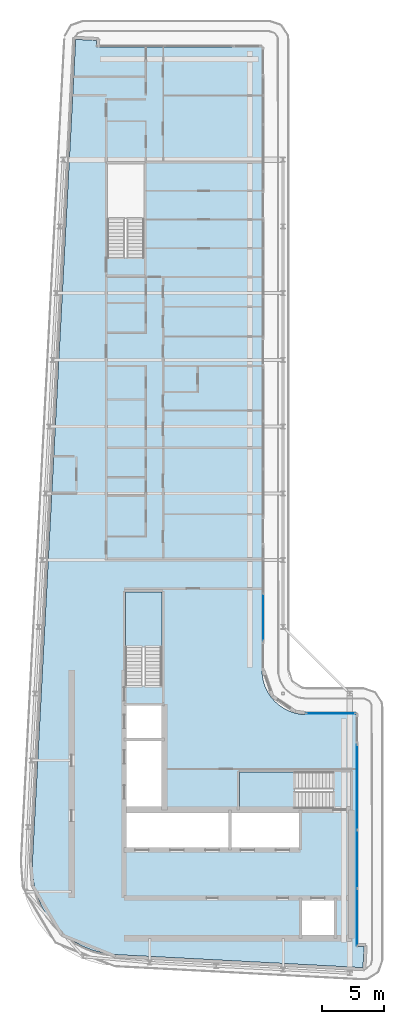
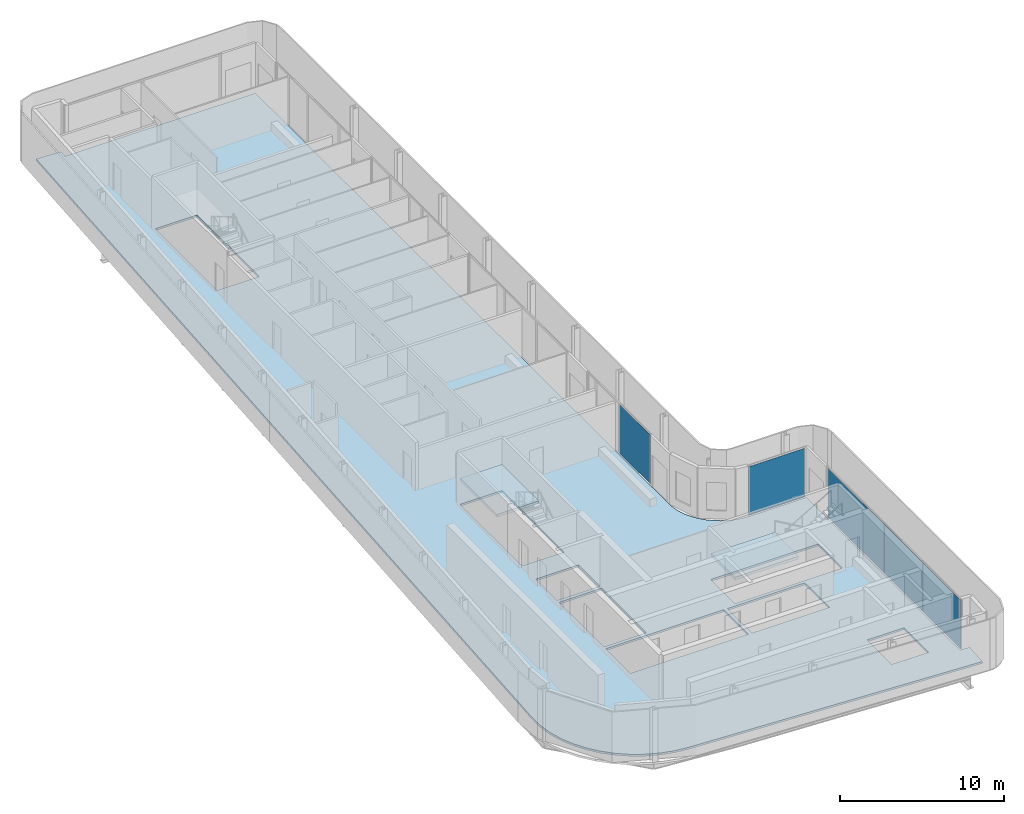
# One storey, part 7 of 18: 5 plates, 3 slabs, 6 elements without a shape of their own.
"""IFC4 building model written with IfcOpenShell, lengths in metres."""

from ifc_helpers import new_model, si_unit, direction, frame, origin, origin_2d, place, context, subcontext, project, spatial, polyline, rectangle, outline, extrude, material, layer, layer_set, type_object, element, aggregate, save


model = new_model("IFC4")

# Units and contexts
model_context = context("Model", 3, precision=1e-05, world=origin(), true_north=direction((0.0, 1.0)))
body_context = subcontext(model_context, "Body", "Model", "MODEL_VIEW")
ifc_project = project(units=[si_unit("LENGTHUNIT", "METRE"), si_unit("AREAUNIT", "SQUARE_METRE"), si_unit("VOLUMEUNIT", "CUBIC_METRE"), si_unit("PLANEANGLEUNIT", "RADIAN"), si_unit("MASSUNIT", "GRAM", prefix="KILO")], contexts=[model_context])

# Site, building, storey
site_placement = place(None, origin())
site = spatial("IfcSite", under=ifc_project, at=site_placement, CompositionType="ELEMENT")
building_placement = place(site_placement, origin())
building = spatial("IfcBuilding", under=site, at=building_placement, Name="Kheshtan School and Residences Tower", CompositionType="ELEMENT")
storey_placement = place(building_placement, frame((0.0, 0.0, 365.60009765625)))
storey = spatial("IfcBuildingStorey", under=building, at=storey_placement, Name="L86", CompositionType="ELEMENT", Elevation=365.60009765625)

# Curtain wall, plate
ifc_material_1 = material(Name="Clear low-e glass in thermally broken aluminium frame", Category="aluminium")
ifc_layer_1 = layer(ifc_material_1, 0.199951171875)
ifc_layer_set_1 = layer_set([ifc_layer_1], Name="Curtain wall CW-B")
curtain_wall_type_1 = type_object("IfcCurtainWallType", Name="Curtain wall CW-B", PredefinedType="NOTDEFINED", material=ifc_layer_set_1)
curtain_wall_1_placement = place(storey_placement, origin())
curtain_wall_1 = element("IfcCurtainWall", 1, at=curtain_wall_1_placement, inside=storey, type_object=curtain_wall_type_1, Name="Curtain wall CWB12", PredefinedType="NOTDEFINED")
ifc_layer_2 = layer(ifc_material_1, 0.031982421875)
ifc_layer_set_2 = layer_set([ifc_layer_2], Name="CW-B glass panel")
plate_type_1 = type_object("IfcPlateType", Name="CW-B glass panel", PredefinedType="CURTAIN_PANEL", material=ifc_layer_set_2)
plate_1_placement = place(storey_placement, frame((51.465087890625, 44.0, 0.0), z_axis=(0.0, 0.0, 1.0), x_axis=(1.0, 0.0, 0.0)))
plate_1 = element("IfcPlate", 2, at=plate_1_placement, type_object=plate_type_1, Name="CWB12 panel 1.1", PredefinedType="CURTAIN_PANEL", context=body_context, shape_type="SweptSolid", body=[
    extrude(rectangle(XDim=3.949951171875, YDim=0.031982421875, at=origin_2d()), origin(), (0.0, 0.0, 1.0), 3.6298828125),
])
aggregate(curtain_wall_1, [plate_1])

ifc_layer_3 = layer(ifc_material_1, 0.199951171875)
ifc_layer_set_3 = layer_set([ifc_layer_3], Name="Curtain wall CW-L")
curtain_wall_type_2 = type_object("IfcCurtainWallType", Name="Curtain wall CW-L", PredefinedType="NOTDEFINED", material=ifc_layer_set_3)
curtain_wall_2_placement = place(storey_placement, origin())
curtain_wall_2 = element("IfcCurtainWall", 3, at=curtain_wall_2_placement, inside=storey, type_object=curtain_wall_type_2, Name="Curtain wall CWL8c", PredefinedType="NOTDEFINED")
ifc_layer_4 = layer(ifc_material_1, 0.031982421875)
ifc_layer_set_4 = layer_set([ifc_layer_4], Name="CW-L glass panel")
plate_type_2 = type_object("IfcPlateType", Name="CW-L glass panel", PredefinedType="CURTAIN_PANEL", material=ifc_layer_set_4)
plate_2_placement = place(storey_placement, frame((46.0, 51.7685546875, 0.0), z_axis=(0.0, 0.0, 1.0), x_axis=(0.0, -1.0, 0.0)))
plate_2 = element("IfcPlate", 4, at=plate_2_placement, type_object=plate_type_2, Name="CWL8c panel 3.1", PredefinedType="CURTAIN_PANEL", context=body_context, shape_type="SweptSolid", body=[
    extrude(rectangle(XDim=3.757080078125, YDim=0.031982421875, at=origin_2d()), origin(), (0.0, 0.0, 1.0), 3.6298828125),
])
aggregate(curtain_wall_2, [plate_2])

curtain_wall_3_placement = place(storey_placement, origin())
curtain_wall_3 = element("IfcCurtainWall", 5, at=curtain_wall_3_placement, inside=storey, type_object=curtain_wall_type_2, Name="Curtain wall CWL13h", PredefinedType="NOTDEFINED")
plate_3_placement = place(storey_placement, frame((53.60009765625, 38.013916015625, 0.0), z_axis=(0.0, 0.0, 1.0), x_axis=(0.0, -1.0, 0.0)))
plate_3 = element("IfcPlate", 6, at=plate_3_placement, type_object=plate_type_2, Name="CWL13h panel 1.1", PredefinedType="CURTAIN_PANEL", context=body_context, shape_type="SweptSolid", body=[
    extrude(rectangle(XDim=6.85205078125, YDim=0.031982421875, at=origin_2d()), origin(), (0.0, 0.0, 1.0), 3.6298828125),
])
aggregate(curtain_wall_3, [plate_3])

# Curtain wall, plates
curtain_wall_4_placement = place(storey_placement, origin())
curtain_wall_4 = element("IfcCurtainWall", 7, at=curtain_wall_4_placement, inside=storey, type_object=curtain_wall_type_2, Name="Curtain wall CWL13i", PredefinedType="NOTDEFINED")
plate_4_placement = place(storey_placement, frame((53.60009765625, 32.199951171875, 0.0), z_axis=(0.0, 0.0, 1.0), x_axis=(0.0, -1.0, 0.0)))
plate_4 = element("IfcPlate", 8, at=plate_4_placement, type_object=plate_type_2, Name="CWL13i panel 1.1", PredefinedType="CURTAIN_PANEL", context=body_context, shape_type="SweptSolid", body=[
    extrude(rectangle(XDim=4.656005859375, YDim=0.031982421875, at=origin_2d()), origin(), (0.0, 0.0, 1.0), 3.6298828125),
])
plate_5_placement = place(storey_placement, frame((53.60009765625, 27.513916015625, 0.0), z_axis=(0.0, 0.0, 1.0), x_axis=(0.0, -1.0, 0.0)))
plate_5 = element("IfcPlate", 9, at=plate_5_placement, type_object=plate_type_2, Name="CWL13i panel 2.1", PredefinedType="CURTAIN_PANEL", context=body_context, shape_type="SweptSolid", body=[
    extrude(rectangle(XDim=4.595947265625, YDim=0.031982421875, at=origin_2d()), origin(), (0.0, 0.0, 1.0), 3.6298828125),
])
aggregate(curtain_wall_4, [plate_4, plate_5])

# Slab
ifc_material_2 = material(Name="Concrete C40/50", Category="concrete")
ifc_layer_5 = layer(ifc_material_2, 0.14990234375)
ifc_layer_set_5 = layer_set([ifc_layer_5], Name="Floor slab 150 Concrete C40/50")
slab_type_1 = type_object("IfcSlabType", Name="Floor slab 150 Concrete C40/50", PredefinedType="FLOOR", material=ifc_layer_set_5)
slab_1_placement = place(storey_placement, frame((0.0, 0.0, -0.150146484375)))
element("IfcSlab", 10, at=slab_1_placement, inside=storey, type_object=slab_type_1, Name="Floor slab L86", PredefinedType="FLOOR", context=body_context, shape_type="SweptSolid", body=[
    extrude(outline(polyline([(28.55908203125, 27.550048828125), (28.0849609375, 28.345947265625), (27.718017578125, 29.200927734375), (27.466064453125, 30.093017578125), (27.466064453125, 30.093994140625), (27.3330078125, 31.013916015625), (27.320068359375, 31.965087890625), (27.320068359375, 31.970947265625), (30.822021484375, 98.5009765625), (30.822998046875, 98.508056640625), (30.825927734375, 98.531005859375), (30.825927734375, 98.531982421875), (30.826904296875, 98.531982421875), (31.422119140625, 98.5), (31.423095703125, 98.5), (31.423095703125, 98.4990234375), (31.423095703125, 98.4951171875), (31.423095703125, 98.493896484375), (31.424072265625, 98.493896484375), (31.424072265625, 98.492919921875), (31.425048828125, 98.492919921875), (31.426025390625, 98.492919921875), (31.426025390625, 98.493896484375), (31.427978515625, 98.49609375), (31.428955078125, 98.4970703125), (31.429931640625, 98.498046875), (31.430908203125, 98.498046875), (31.430908203125, 98.4990234375), (31.431884765625, 98.4990234375), (31.431884765625, 98.5), (31.43505859375, 98.5009765625), (31.43603515625, 98.501953125), (31.43896484375, 98.501953125), (31.43994140625, 98.501953125), (31.43994140625, 98.5029296875), (31.44091796875, 98.5029296875), (31.446044921875, 98.5029296875), (32.5009765625, 98.447021484375), (32.50390625, 98.447021484375), (32.5048828125, 98.447021484375), (32.5048828125, 98.446044921875), (32.506103515625, 98.446044921875), (32.510009765625, 98.446044921875), (32.510009765625, 98.445068359375), (32.510986328125, 98.445068359375), (32.510986328125, 98.444091796875), (32.511962890625, 98.444091796875), (32.511962890625, 98.443115234375), (32.512939453125, 98.443115234375), (32.513916015625, 98.443115234375), (32.513916015625, 98.44189453125), (32.514892578125, 98.44189453125), (32.51611328125, 98.44189453125), (32.51904296875, 98.43896484375), (32.51904296875, 98.43798828125), (32.51904296875, 98.43701171875), (32.52001953125, 98.43701171875), (32.52001953125, 98.43603515625), (32.52099609375, 98.43603515625), (32.52099609375, 98.43408203125), (32.52099609375, 98.43310546875), (32.52197265625, 98.43310546875), (32.52197265625, 98.431884765625), (32.52294921875, 98.431884765625), (32.52294921875, 98.430908203125), (32.52294921875, 98.428955078125), (32.52294921875, 98.427978515625), (32.52392578125, 98.427978515625), (32.52392578125, 98.427001953125), (32.52392578125, 98.422119140625), (32.4970703125, 97.9208984375), (32.4970703125, 97.91796875), (32.4970703125, 97.9169921875), (32.49609375, 97.9169921875), (32.49609375, 97.916015625), (32.49609375, 97.912109375), (32.4951171875, 97.910888671875), (32.4951171875, 97.909912109375), (32.493896484375, 97.909912109375), (32.493896484375, 97.908935546875), (32.492919921875, 97.908935546875), (32.492919921875, 97.907958984375), (32.489013671875, 97.904052734375), (32.488037109375, 97.904052734375), (32.488037109375, 97.903076171875), (32.488037109375, 97.902099609375), (32.488037109375, 97.90087890625), (32.489013671875, 97.90087890625), (32.489013671875, 97.89990234375), (32.489990234375, 97.89990234375), (45.85498046875, 97.89990234375), (45.864990234375, 97.89794921875), (45.865966796875, 97.89794921875), (45.868896484375, 97.89599609375), (45.8740234375, 97.89404296875), (45.8779296875, 97.89208984375), (45.881103515625, 97.889892578125), (45.881103515625, 97.888916015625), (45.882080078125, 97.888916015625), (45.882080078125, 97.887939453125), (45.883056640625, 97.887939453125), (45.884033203125, 97.885009765625), (45.885009765625, 97.885009765625), (45.885009765625, 97.884033203125), (45.887939453125, 97.883056640625), (45.887939453125, 97.882080078125), (45.888916015625, 97.882080078125), (45.888916015625, 97.881103515625), (45.889892578125, 97.881103515625), (45.89208984375, 97.8779296875), (45.89404296875, 97.8740234375), (45.89599609375, 97.868896484375), (45.89794921875, 97.865966796875), (45.89794921875, 97.864990234375), (45.89990234375, 97.85498046875), (45.89990234375, 47.429931640625), (45.927001953125, 47.030029296875), (46.01806640625, 46.570068359375), (46.01806640625, 46.569091796875), (46.169921875, 46.1201171875), (46.37890625, 45.697021484375), (46.638916015625, 45.30810546875), (46.949951171875, 44.950927734375), (46.950927734375, 44.949951171875), (47.30810546875, 44.638916015625), (47.697021484375, 44.37890625), (48.1201171875, 44.169921875), (48.569091796875, 44.01806640625), (48.570068359375, 44.01806640625), (49.030029296875, 43.927001953125), (49.429931640625, 43.89990234375), (53.455078125, 43.89990234375), (53.465087890625, 43.89794921875), (53.466064453125, 43.89794921875), (53.468994140625, 43.89599609375), (53.47412109375, 43.89404296875), (53.47802734375, 43.89208984375), (53.48095703125, 43.889892578125), (53.48095703125, 43.888916015625), (53.48193359375, 43.888916015625), (53.48193359375, 43.887939453125), (53.48291015625, 43.887939453125), (53.48388671875, 43.885009765625), (53.485107421875, 43.885009765625), (53.485107421875, 43.884033203125), (53.488037109375, 43.883056640625), (53.488037109375, 43.882080078125), (53.489013671875, 43.882080078125), (53.489013671875, 43.881103515625), (53.489990234375, 43.881103515625), (53.491943359375, 43.8779296875), (53.493896484375, 43.8740234375), (53.49609375, 43.868896484375), (53.498046875, 43.865966796875), (53.498046875, 43.864990234375), (53.4990234375, 43.860107421875), (53.5, 43.85498046875), (53.5, 25.15087890625), (53.5, 25.14990234375), (53.5009765625, 25.14990234375), (53.5009765625, 25.14892578125), (53.501953125, 25.14892578125), (53.5029296875, 25.14892578125), (53.5029296875, 25.14990234375), (53.506103515625, 25.153076171875), (53.507080078125, 25.154052734375), (53.508056640625, 25.154052734375), (53.508056640625, 25.155029296875), (53.509033203125, 25.155029296875), (53.509033203125, 25.156005859375), (53.512939453125, 25.157958984375), (53.51611328125, 25.157958984375), (53.51708984375, 25.157958984375), (53.51708984375, 25.158935546875), (53.51806640625, 25.158935546875), (53.52294921875, 25.158935546875), (54.137939453125, 25.1259765625), (54.14111328125, 25.1259765625), (54.14208984375, 25.1259765625), (54.14208984375, 25.125), (54.14306640625, 25.125), (54.14697265625, 25.125), (54.14697265625, 25.1240234375), (54.14794921875, 25.1240234375), (54.14794921875, 25.123046875), (54.14892578125, 25.123046875), (54.14892578125, 25.1220703125), (54.14990234375, 25.1220703125), (54.15087890625, 25.1220703125), (54.15087890625, 25.12109375), (54.152099609375, 25.12109375), (54.153076171875, 25.12109375), (54.156005859375, 25.117919921875), (54.156005859375, 25.116943359375), (54.156005859375, 25.115966796875), (54.156982421875, 25.115966796875), (54.156982421875, 25.114990234375), (54.157958984375, 25.114990234375), (54.157958984375, 25.113037109375), (54.157958984375, 25.112060546875), (54.158935546875, 25.112060546875), (54.158935546875, 25.111083984375), (54.159912109375, 25.111083984375), (54.159912109375, 25.110107421875), (54.159912109375, 25.10791015625), (54.159912109375, 25.10693359375), (54.160888671875, 25.10693359375), (54.160888671875, 25.10595703125), (54.160888671875, 25.10107421875), (54.10498046875, 24.0439453125), (54.10498046875, 24.041015625), (54.10498046875, 24.0400390625), (54.10400390625, 24.0400390625), (54.10400390625, 24.0390625), (54.10400390625, 24.034912109375), (54.10302734375, 24.033935546875), (54.10302734375, 24.032958984375), (54.10205078125, 24.032958984375), (54.10205078125, 24.031982421875), (54.10107421875, 24.031982421875), (54.10107421875, 24.031005859375), (54.096923828125, 24.027099609375), (54.095947265625, 24.027099609375), (54.095947265625, 24.02587890625), (54.095947265625, 24.02490234375), (54.095947265625, 24.02392578125), (54.096923828125, 24.02392578125), (54.096923828125, 24.02294921875), (54.097900390625, 24.02294921875), (54.09912109375, 24.02294921875), (54.10009765625, 24.02294921875), (54.10009765625, 24.02197265625), (54.068115234375, 23.427001953125), (54.068115234375, 23.426025390625), (54.06689453125, 23.426025390625), (54.04296875, 23.425048828125), (54.0380859375, 23.425048828125), (34.056884765625, 24.47802734375), (33.114990234375, 24.590087890625), (32.215087890625, 24.819091796875), (32.214111328125, 24.819091796875), (31.35205078125, 25.1630859375), (30.541015625, 25.616943359375), (29.799072265625, 26.1708984375), (29.799072265625, 26.172119140625), (29.798095703125, 26.172119140625), (29.134033203125, 26.820068359375), (29.134033203125, 26.821044921875), (29.133056640625, 26.821044921875), (28.55908203125, 27.550048828125)]), holes=[polyline([(53.5009765625, 24.030029296875), (53.5, 24.030029296875), (53.5, 24.029052734375), (53.5, 24.02490234375), (53.5, 24.02392578125), (53.5009765625, 24.02392578125), (53.5009765625, 24.02294921875), (53.501953125, 24.02294921875), (53.506103515625, 24.02294921875), (53.507080078125, 24.02294921875), (53.507080078125, 24.02392578125), (53.508056640625, 24.02392578125), (53.508056640625, 24.02490234375), (53.508056640625, 24.02587890625), (53.507080078125, 24.02587890625), (53.50390625, 24.029052734375), (53.5029296875, 24.030029296875), (53.5029296875, 24.031005859375), (53.501953125, 24.031005859375), (53.5009765625, 24.031005859375), (53.5009765625, 24.030029296875)]), polyline([(31.424072265625, 97.906982421875), (31.423095703125, 97.906982421875), (31.423095703125, 97.906005859375), (31.423095703125, 97.902099609375), (31.423095703125, 97.90087890625), (31.424072265625, 97.90087890625), (31.424072265625, 97.89990234375), (31.425048828125, 97.89990234375), (31.428955078125, 97.89990234375), (31.429931640625, 97.89990234375), (31.429931640625, 97.90087890625), (31.430908203125, 97.90087890625), (31.430908203125, 97.902099609375), (31.430908203125, 97.903076171875), (31.429931640625, 97.903076171875), (31.428955078125, 97.904052734375), (31.427978515625, 97.905029296875), (31.427001953125, 97.906005859375), (31.426025390625, 97.906982421875), (31.426025390625, 97.907958984375), (31.425048828125, 97.907958984375), (31.424072265625, 97.907958984375), (31.424072265625, 97.906982421875)]), polyline([(51.72509765625, 28.925048828125), (49.125, 28.925048828125), (49.125, 25.925048828125), (51.72509765625, 25.925048828125), (51.72509765625, 28.925048828125)]), polyline([(43.175048828125, 33.074951171875), (43.175048828125, 36.074951171875), (34.875, 36.074951171875), (34.875, 33.074951171875), (43.175048828125, 33.074951171875)]), polyline([(43.425048828125, 36.074951171875), (43.425048828125, 33.074951171875), (48.875, 33.074951171875), (48.875, 36.074951171875), (43.425048828125, 36.074951171875)]), polyline([(51.64990234375, 37.699951171875), (51.64990234375, 39.25), (44.090087890625, 39.25), (44.090087890625, 36.300048828125), (51.639892578125, 36.300048828125), (51.639892578125, 37.699951171875), (51.64990234375, 37.699951171875)]), polyline([(37.875, 41.77490234375), (34.875, 41.77490234375), (34.875, 36.324951171875), (37.875, 36.324951171875), (37.875, 41.77490234375)]), polyline([(37.875, 44.625), (34.875, 44.625), (34.875, 42.02490234375), (37.875, 42.02490234375), (37.875, 44.625)]), polyline([(37.800048828125, 53.81005859375), (34.85009765625, 53.81005859375), (34.85009765625, 46.260009765625), (36.25, 46.260009765625), (36.25, 46.25), (37.800048828125, 46.25), (37.800048828125, 53.81005859375)]), polyline([(36.35009765625, 88.4599609375), (33.39990234375, 88.4599609375), (33.39990234375, 80.909912109375), (34.800048828125, 80.909912109375), (34.800048828125, 80.89990234375), (36.35009765625, 80.89990234375), (36.35009765625, 88.4599609375)])]), origin(), (0.0, 0.0, 1.0), 0.150146484375),
])

# Stair, slab
stair_type = type_object("IfcStairType", Name="Exit stair, half-turn", PredefinedType="HALF_TURN_STAIR", material=ifc_material_2)
stair_1_placement = place(storey_placement, origin())
stair_1 = element("IfcStair", 11, at=stair_1_placement, inside=storey, type_object=stair_type, Name="L86 Protected Exit Stair ST1", PredefinedType="HALF_TURN_STAIR")
ifc_layer_6 = layer(ifc_material_2, 0.199951171875)
ifc_layer_set_6 = layer_set([ifc_layer_6], Name="Stair landing 200 Concrete C40/50")
slab_type_2 = type_object("IfcSlabType", Name="Stair landing 200 Concrete C40/50", PredefinedType="LANDING", material=ifc_layer_set_6)
slab_2_placement = place(storey_placement, frame((0.0, 0.0, 1.75)))
slab_2 = element("IfcSlab", 12, at=slab_2_placement, type_object=slab_type_2, Name="ST1 landing 1", PredefinedType="LANDING", context=body_context, shape_type="SweptSolid", body=[
    extrude(outline(polyline([(48.570068359375, 39.25), (44.090087890625, 39.25), (44.090087890625, 36.300048828125), (48.570068359375, 36.300048828125), (48.570068359375, 39.25)])), origin(), (0.0, 0.0, 1.0), 0.199951171875),
])
aggregate(stair_1, [slab_2])

stair_2_placement = place(storey_placement, origin())
stair_2 = element("IfcStair", 13, at=stair_2_placement, inside=storey, type_object=stair_type, Name="L86 Protected Exit Stair ST2", PredefinedType="HALF_TURN_STAIR")
slab_3_placement = place(storey_placement, frame((0.0, 0.0, 1.75)))
slab_3 = element("IfcSlab", 14, at=slab_3_placement, type_object=slab_type_2, Name="ST2 landing 1", PredefinedType="LANDING", context=body_context, shape_type="SweptSolid", body=[
    extrude(outline(polyline([(37.800048828125, 49.330078125), (37.800048828125, 53.81005859375), (34.85009765625, 53.81005859375), (34.85009765625, 49.330078125), (37.800048828125, 49.330078125)])), origin(), (0.0, 0.0, 1.0), 0.199951171875),
])
aggregate(stair_2, [slab_3])

save(model, "model.ifc")
